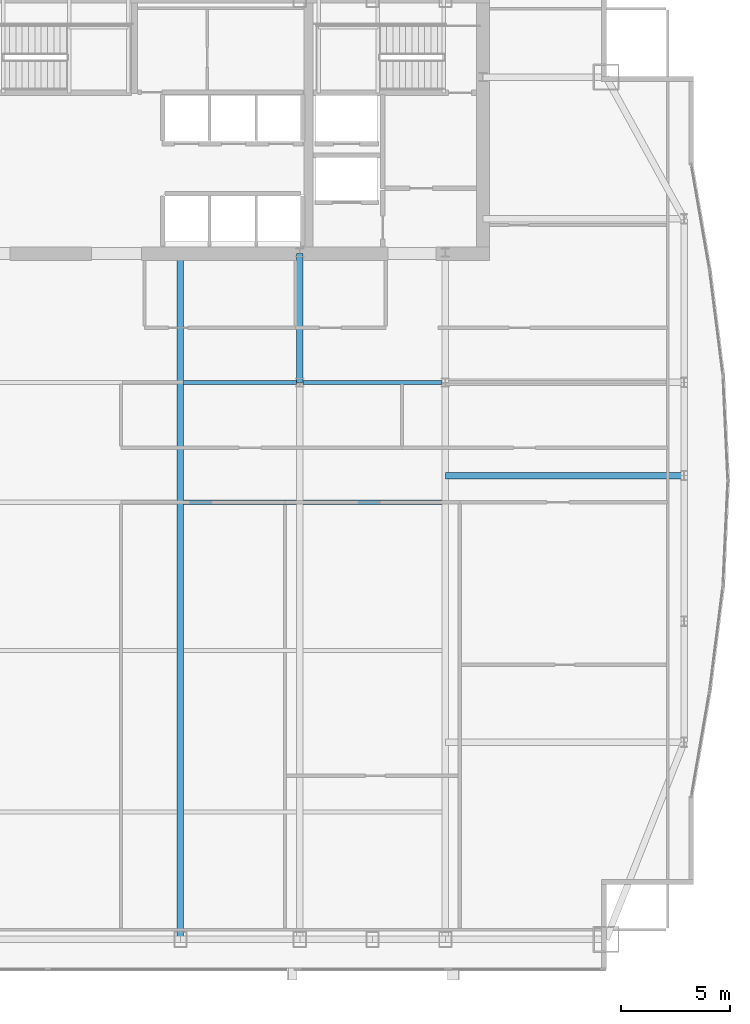
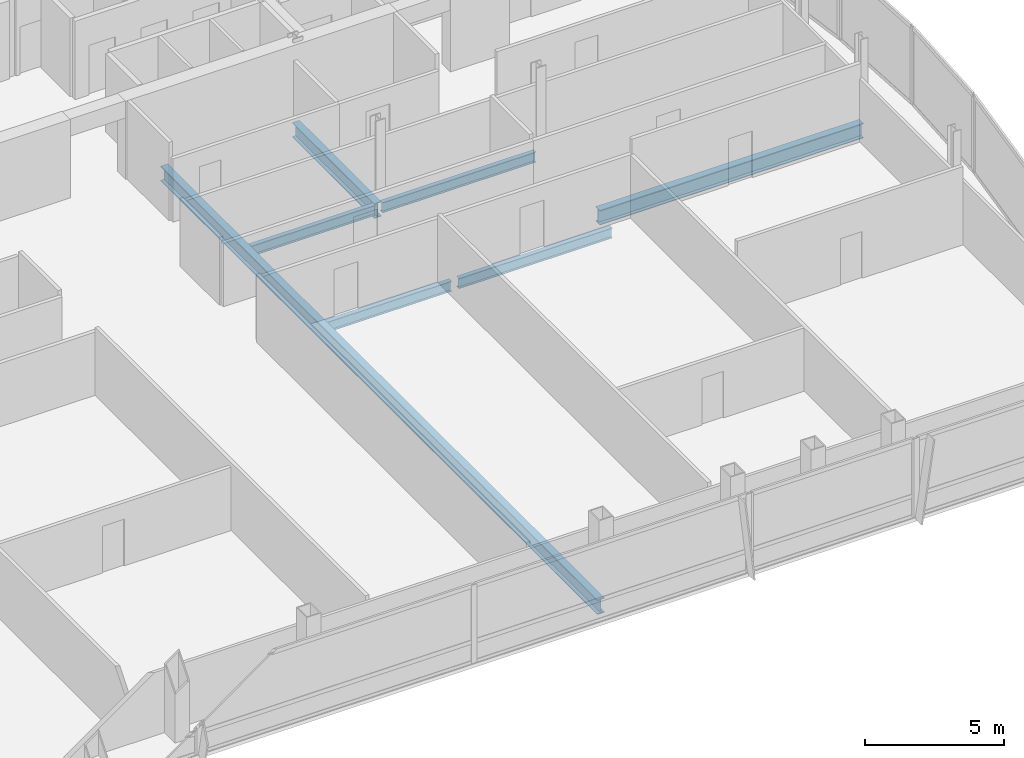
# One storey, part 17 of 30: 7 beams.
"""IFC4 building model written with IfcOpenShell, lengths in metres."""

from ifc_helpers import new_model, si_unit, direction, frame, origin, origin_2d, place, context, subcontext, project, spatial, i_section, extrude, material, material_profile, profile_set, type_object, element, save


model = new_model("IFC4")

# Units and contexts
model_context = context("Model", 3, precision=1e-05, world=origin(), true_north=direction((0.0, 1.0)))
body_context = subcontext(model_context, "Body", "Model", "MODEL_VIEW")
ifc_project = project(units=[si_unit("LENGTHUNIT", "METRE"), si_unit("AREAUNIT", "SQUARE_METRE"), si_unit("VOLUMEUNIT", "CUBIC_METRE"), si_unit("PLANEANGLEUNIT", "RADIAN"), si_unit("MASSUNIT", "GRAM", prefix="KILO")], contexts=[model_context])

# Site, building, storey
site_placement = place(None, origin())
site = spatial("IfcSite", under=ifc_project, at=site_placement, CompositionType="ELEMENT")
building_placement = place(site_placement, origin())
building = spatial("IfcBuilding", under=site, at=building_placement, Name="Khoronbel Lancet Exchange", CompositionType="ELEMENT")
storey_placement = place(building_placement, frame((0.0, 0.0, 224.60009765625)))
storey = spatial("IfcBuildingStorey", under=building, at=storey_placement, Name="L57", CompositionType="ELEMENT", Elevation=224.60009765625)

# Beams
ifc_material = material(Name="Steel S355", Category="steel")
ifc_material_profile_1 = material_profile(ifc_material, i_section(OverallWidth=0.300048828125, OverallDepth=0.64990234375, WebThickness=0.01611328125, FlangeThickness=0.031005859375, at=origin_2d()), Name="HEB 650")
ifc_profile_set_1 = profile_set([ifc_material_profile_1], Name="Steel S355")
beam_type_1 = type_object("IfcBeamType", Name="BM-BG4", PredefinedType="BEAM", material=ifc_profile_set_1)
beam_1_placement = place(storey_placement, frame((42.52490234375, 10.14990234375, -0.485107421875), z_axis=(0.0, 1.0, 0.0), x_axis=(-1.0, 0.0, 0.0)))
element("IfcBeam", 1, at=beam_1_placement, inside=storey, type_object=beam_type_1, Name="Level L57 primary floor girder G4", PredefinedType="BEAM", context=body_context, shape_type="SweptSolid", body=[
    extrude(i_section(OverallWidth=0.300048828125, OverallDepth=0.64990234375, WebThickness=0.01611328125, FlangeThickness=0.031005859375, at=origin_2d()), origin(), (0.0, 0.0, 1.0), 31.4501953125),
])
beam_2_placement = place(storey_placement, frame((48.0, 35.699951171875, -0.485107421875), z_axis=(0.0, 1.0, 0.0), x_axis=(-1.0, 0.0, 0.0)))
element("IfcBeam", 2, at=beam_2_placement, inside=storey, type_object=beam_type_1, Name="Level L57 spine tie girder GN5", PredefinedType="BEAM", context=body_context, shape_type="SweptSolid", body=[
    extrude(i_section(OverallWidth=0.300048828125, OverallDepth=0.64990234375, WebThickness=0.01611328125, FlangeThickness=0.031005859375, at=origin_2d()), origin(), (0.0, 0.0, 1.0), 5.900146484375),
])
beam_3_placement = place(storey_placement, frame((54.675048828125, 31.425048828125, -0.485107421875), z_axis=(1.0, 0.0, 0.0), x_axis=(0.0, 1.0, 0.0)))
element("IfcBeam", 3, at=beam_3_placement, inside=storey, type_object=beam_type_1, Name="Level L57 east lens tie girder LG2E", PredefinedType="BEAM", context=body_context, shape_type="SweptSolid", body=[
    extrude(i_section(OverallWidth=0.300048828125, OverallDepth=0.64990234375, WebThickness=0.01611328125, FlangeThickness=0.031005859375, at=origin_2d()), origin(), (0.0, 0.0, 1.0), 10.954833984375),
])
ifc_material_profile_2 = material_profile(ifc_material, i_section(OverallWidth=0.18994140625, OverallDepth=0.449951171875, WebThickness=0.009521484375, FlangeThickness=0.0146484375, at=origin_2d()), Name="IPE 450")
ifc_profile_set_2 = profile_set([ifc_material_profile_2], Name="Steel S355")
beam_type_2 = type_object("IfcBeamType", Name="BM-BJ4", PredefinedType="JOIST", material=ifc_profile_set_2)
beam_4_placement = place(storey_placement, frame((42.675048828125, 30.199951171875, -0.385009765625), z_axis=(1.0, 0.0, 0.0), x_axis=(0.0, 1.0, 0.0)))
element("IfcBeam", 4, at=beam_4_placement, inside=storey, type_object=beam_type_2, Name="Level L57 secondary composite joist J14", PredefinedType="JOIST", context=body_context, shape_type="SweptSolid", body=[
    extrude(i_section(OverallWidth=0.18994140625, OverallDepth=0.449951171875, WebThickness=0.009521484375, FlangeThickness=0.0146484375, at=origin_2d()), origin(), (0.0, 0.0, 1.0), 5.175048828125),
])
beam_5_placement = place(storey_placement, frame((48.14990234375, 30.199951171875, -0.385009765625), z_axis=(1.0, 0.0, 0.0), x_axis=(0.0, 1.0, 0.0)))
element("IfcBeam", 5, at=beam_5_placement, inside=storey, type_object=beam_type_2, Name="Level L57 secondary composite joist J15", PredefinedType="JOIST", context=body_context, shape_type="SweptSolid", body=[
    extrude(i_section(OverallWidth=0.18994140625, OverallDepth=0.449951171875, WebThickness=0.009521484375, FlangeThickness=0.0146484375, at=origin_2d()), origin(), (0.0, 0.0, 1.0), 6.375),
])
beam_6_placement = place(storey_placement, frame((42.675048828125, 35.699951171875, -0.385009765625), z_axis=(1.0, 0.0, 0.0), x_axis=(0.0, 1.0, 0.0)))
element("IfcBeam", 6, at=beam_6_placement, inside=storey, type_object=beam_type_2, Name="Level L57 secondary composite joist J19", PredefinedType="JOIST", context=body_context, shape_type="SweptSolid", body=[
    extrude(i_section(OverallWidth=0.18994140625, OverallDepth=0.449951171875, WebThickness=0.009521484375, FlangeThickness=0.0146484375, at=origin_2d()), origin(), (0.0, 0.0, 1.0), 5.175048828125),
])
beam_7_placement = place(storey_placement, frame((48.14990234375, 35.699951171875, -0.385009765625), z_axis=(1.0, 0.0, 0.0), x_axis=(0.0, 1.0, 0.0)))
element("IfcBeam", 7, at=beam_7_placement, inside=storey, type_object=beam_type_2, Name="Level L57 secondary composite joist J20", PredefinedType="JOIST", context=body_context, shape_type="SweptSolid", body=[
    extrude(i_section(OverallWidth=0.18994140625, OverallDepth=0.449951171875, WebThickness=0.009521484375, FlangeThickness=0.0146484375, at=origin_2d()), origin(), (0.0, 0.0, 1.0), 6.375),
])

save(model, "model.ifc")
